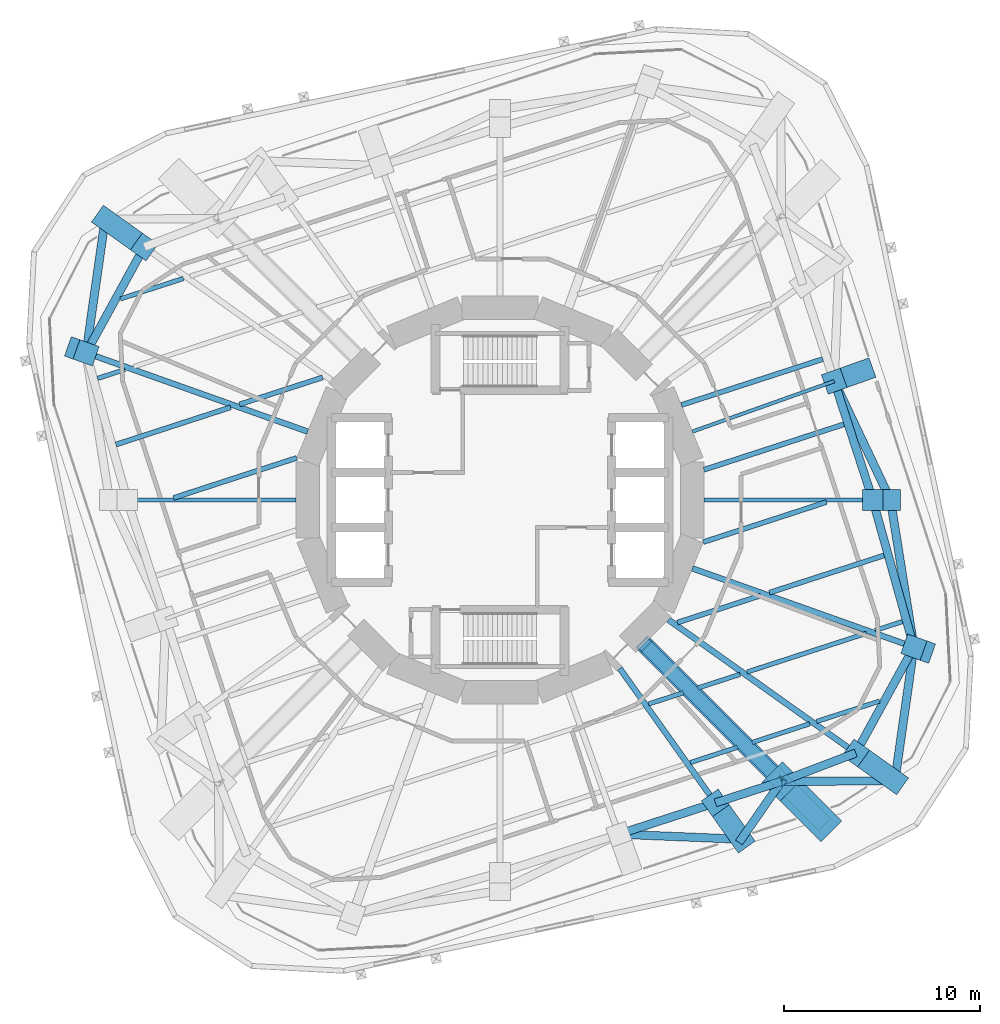
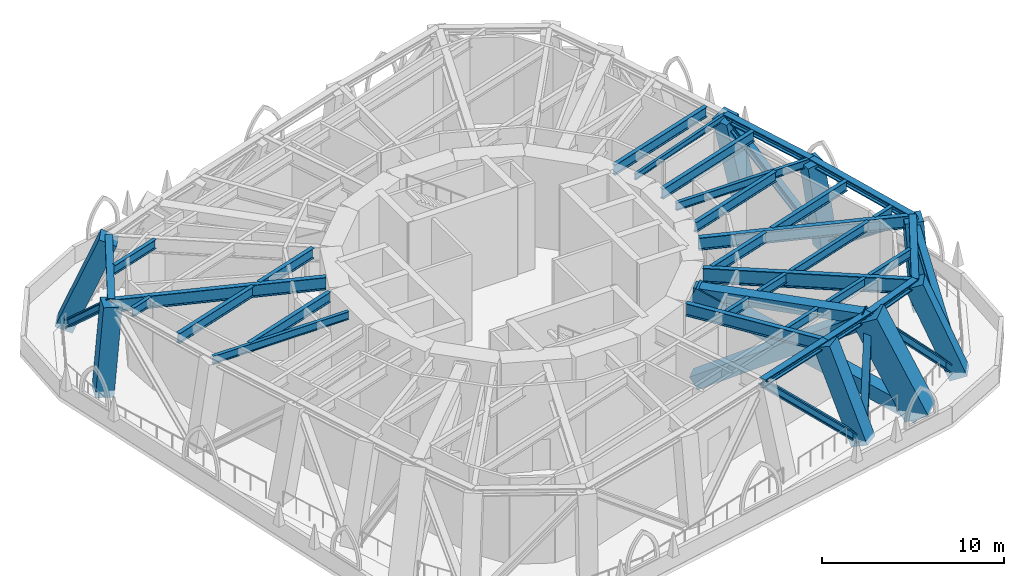
# One storey, part 2 of 11: 25 members, 24 beams.
"""IFC4 building model written with IfcOpenShell, lengths in metres."""

from ifc_helpers import new_model, si_unit, direction, frame, origin, origin_2d, place, context, subcontext, project, spatial, rectangle, hollow_rectangle, i_section, extrude, material, material_profile, profile_set, type_object, element, save


model = new_model("IFC4")

# Units and contexts
model_context = context("Model", 3, precision=1e-05, world=origin(), true_north=direction((0.0, 1.0)))
body_context = subcontext(model_context, "Body", "Model", "MODEL_VIEW")
ifc_project = project(units=[si_unit("LENGTHUNIT", "METRE"), si_unit("AREAUNIT", "SQUARE_METRE"), si_unit("VOLUMEUNIT", "CUBIC_METRE"), si_unit("PLANEANGLEUNIT", "RADIAN"), si_unit("MASSUNIT", "GRAM", prefix="KILO")], contexts=[model_context])

# Site, building, storey
site_placement = place(None, origin())
site = spatial("IfcSite", under=ifc_project, at=site_placement, CompositionType="ELEMENT")
building_placement = place(site_placement, origin())
building = spatial("IfcBuilding", under=site, at=building_placement, Name="Nakasero Lantern House", CompositionType="ELEMENT")
storey_placement = place(building_placement, frame((0.0, 0.0, 135.800048828125)))
storey = spatial("IfcBuildingStorey", under=building, at=storey_placement, Name="L33", CompositionType="ELEMENT", Elevation=135.800048828125)

# Members
ifc_material_1 = material(Name="Steel S355", Category="steel")
ifc_material_profile_1 = material_profile(ifc_material_1, i_section(OverallWidth=0.41845703125, OverallDepth=0.45556640625, WebThickness=0.0419921875, FlangeThickness=0.0673828125, FilletRadius=0.01513671875, at=origin_2d()), Name="UC 356x406x551")
ifc_profile_set_1 = profile_set([ifc_material_profile_1], Name="Steel S355")
member_type_1 = type_object("IfcMemberType", Name="Belt truss chord UC 356x406x551", PredefinedType="CHORD", material=ifc_profile_set_1)
member_1_placement = place(storey_placement, frame((18.1630859375, -12.916015625, 5.572265625), z_axis=(0.481261795861, 0.876576912681, 0.0), x_axis=(-0.876576912681, 0.481261795861, 0.0)))
element("IfcMember", 1, at=member_1_placement, inside=storey, type_object=member_type_1, Name="Belt truss top chord T3 B4-C01T", PredefinedType="CHORD", context=body_context, shape_type="SweptSolid", body=[
    extrude(i_section(OverallWidth=0.41845703125, OverallDepth=0.45556640625, WebThickness=0.0419921875, FlangeThickness=0.0673828125, FilletRadius=0.01513671875, at=origin_2d()), origin(), (0.0, 0.0, 1.0), 6.1640625),
])
member_2_placement = place(storey_placement, frame((21.129638671875, -7.5126953125, 5.572265625), z_axis=(-0.268986696047, 0.963143892339, 0.0), x_axis=(-0.963143892339, -0.268986696047, 0.0)))
element("IfcMember", 2, at=member_2_placement, inside=storey, type_object=member_type_1, Name="Belt truss top chord T3 B4-C02T", PredefinedType="CHORD", context=body_context, shape_type="SweptSolid", body=[
    extrude(i_section(OverallWidth=0.41845703125, OverallDepth=0.45556640625, WebThickness=0.0419921875, FlangeThickness=0.0673828125, FilletRadius=0.01513671875, at=origin_2d()), origin(), (0.0, 0.0, 1.0), 7.80029296875),
])
member_3_placement = place(storey_placement, frame((19.031494140625, 0.0, 5.572265625), z_axis=(-0.309018560274, 0.951056007502, 0.0), x_axis=(-0.951056007502, -0.309018560274, 0.0)))
element("IfcMember", 3, at=member_3_placement, inside=storey, type_object=member_type_1, Name="Belt truss top chord T3 B4-C03T", PredefinedType="CHORD", context=body_context, shape_type="SweptSolid", body=[
    extrude(i_section(OverallWidth=0.41845703125, OverallDepth=0.45556640625, WebThickness=0.0419921875, FlangeThickness=0.0673828125, FilletRadius=0.01513671875, at=origin_2d()), origin(), (0.0, 0.0, 1.0), 6.378173828125),
])
member_4_placement = place(storey_placement, frame((-18.1630859375, 12.916015625, 5.572265625), z_axis=(-0.481261795861, -0.876576912681, 0.0), x_axis=(0.876576912681, -0.481261795861, 0.0)))
element("IfcMember", 4, at=member_4_placement, inside=storey, type_object=member_type_1, Name="Belt truss top chord T3 B4-C13T", PredefinedType="CHORD", context=body_context, shape_type="SweptSolid", body=[
    extrude(i_section(OverallWidth=0.41845703125, OverallDepth=0.45556640625, WebThickness=0.0419921875, FlangeThickness=0.0673828125, FilletRadius=0.01513671875, at=origin_2d()), origin(), (0.0, 0.0, 1.0), 6.1640625),
])
member_5_placement = place(storey_placement, frame((6.06591796875, -17.060546875, 5.572265625), z_axis=(0.95105449754, 0.309023207396, 0.0), x_axis=(-0.309023207396, 0.95105449754, 0.0)))
element("IfcMember", 5, at=member_5_placement, inside=storey, type_object=member_type_1, Name="Belt truss top chord T3 B4-C22T", PredefinedType="CHORD", context=body_context, shape_type="SweptSolid", body=[
    extrude(i_section(OverallWidth=0.41845703125, OverallDepth=0.45556640625, WebThickness=0.0419921875, FlangeThickness=0.0673828125, FilletRadius=0.01513671875, at=origin_2d()), origin(), (0.0, 0.0, 1.0), 5.18115234375),
])
member_6_placement = place(storey_placement, frame((10.993408203125, -15.45947265625, 5.572265625), z_axis=(0.951059881727, 0.309006636447, 0.0), x_axis=(-0.309006636447, 0.951059881727, 0.0)))
element("IfcMember", 6, at=member_6_placement, inside=storey, type_object=member_type_1, Name="Belt truss top chord T3 B4-C23T", PredefinedType="CHORD", context=body_context, shape_type="SweptSolid", body=[
    extrude(i_section(OverallWidth=0.41845703125, OverallDepth=0.45556640625, WebThickness=0.0419921875, FlangeThickness=0.0673828125, FilletRadius=0.01513671875, at=origin_2d()), origin(), (0.0, 0.0, 1.0), 3.544189453125),
])
member_7_placement = place(storey_placement, frame((14.3642578125, -14.3642578125, 5.572265625), z_axis=(0.934400186194, 0.35622505813, 0.0), x_axis=(-0.35622505813, 0.934400186194, 0.0)))
element("IfcMember", 7, at=member_7_placement, inside=storey, type_object=member_type_1, Name="Belt truss top chord T3 B4-C24T", PredefinedType="CHORD", context=body_context, shape_type="SweptSolid", body=[
    extrude(i_section(OverallWidth=0.41845703125, OverallDepth=0.45556640625, WebThickness=0.0419921875, FlangeThickness=0.0673828125, FilletRadius=0.01513671875, at=origin_2d()), origin(), (0.0, 0.0, 1.0), 4.0654296875),
])
ifc_material_2 = material(Name="Steel S355", Category="steel")
ifc_material_profile_2 = material_profile(ifc_material_2, i_section(OverallWidth=0.424072265625, OverallDepth=0.474609375, WebThickness=0.047607421875, FlangeThickness=0.076904296875, FilletRadius=0.01513671875, at=origin_2d()), Name="UC 356x406x634")
ifc_profile_set_2 = profile_set([ifc_material_profile_2], Name="Steel S355")
member_type_2 = type_object("IfcMemberType", Name="Belt truss diagonal UC 356x406x634", PredefinedType="BRACE", material=ifc_profile_set_2)
member_8_placement = place(storey_placement, frame((20.15625, -14.33349609375, -0.427734375), z_axis=(0.106541541684, 0.746565736537, 0.656725590276), x_axis=(-0.989970035238, 0.141277490532, 0.0)))
element("IfcMember", 8, at=member_8_placement, inside=storey, type_object=member_type_2, Name="Belt truss diagonal T3-01", PredefinedType="BRACE", context=body_context, shape_type="SweptSolid", body=[
    extrude(i_section(OverallWidth=0.424072265625, OverallDepth=0.474609375, WebThickness=0.047607421875, FlangeThickness=0.076904296875, FilletRadius=0.01513671875, at=origin_2d()), origin(), (0.0, 0.0, 1.0), 9.13623046875),
])
member_9_placement = place(storey_placement, frame((21.129638671875, -7.5126953125, 5.572265625), z_axis=(-0.123248751124, 0.775426409651, -0.61929284556), x_axis=(-0.987602931798, -0.156972765482, 0.0)))
element("IfcMember", 9, at=member_9_placement, inside=storey, type_object=member_type_2, Name="Belt truss diagonal T3-02", PredefinedType="BRACE", context=body_context, shape_type="SweptSolid", body=[
    extrude(i_section(OverallWidth=0.424072265625, OverallDepth=0.474609375, WebThickness=0.047607421875, FlangeThickness=0.076904296875, FilletRadius=0.01513671875, at=origin_2d()), origin(), (0.0, 0.0, 1.0), 9.6884765625),
])
member_10_placement = place(storey_placement, frame((19.935546875, 0.0, -0.427734375), z_axis=(-0.319324255666, 0.673737300974, 0.666415837911), x_axis=(-0.903641543307, -0.42828957635, 0.0)))
element("IfcMember", 10, at=member_10_placement, inside=storey, type_object=member_type_2, Name="Belt truss diagonal T3-03", PredefinedType="BRACE", context=body_context, shape_type="SweptSolid", body=[
    extrude(i_section(OverallWidth=0.424072265625, OverallDepth=0.474609375, WebThickness=0.047607421875, FlangeThickness=0.076904296875, FilletRadius=0.01513671875, at=origin_2d()), origin(), (0.0, 0.0, 1.0), 9.00341796875),
])
member_11_placement = place(storey_placement, frame((-20.15625, 14.33349609375, -0.427734375), z_axis=(-0.106541541684, -0.746565736537, 0.656725590276), x_axis=(0.989970035238, -0.141277490532, 0.0)))
element("IfcMember", 11, at=member_11_placement, inside=storey, type_object=member_type_2, Name="Belt truss diagonal T3-13", PredefinedType="BRACE", context=body_context, shape_type="SweptSolid", body=[
    extrude(i_section(OverallWidth=0.424072265625, OverallDepth=0.474609375, WebThickness=0.047607421875, FlangeThickness=0.076904296875, FilletRadius=0.01513671875, at=origin_2d()), origin(), (0.0, 0.0, 1.0), 9.13623046875),
])
member_12_placement = place(storey_placement, frame((6.06591796875, -17.060546875, 5.572265625), z_axis=(0.721014651765, -0.02971833324, -0.692282234793), x_axis=(0.041182410733, 0.99915164467, 0.0)))
element("IfcMember", 12, at=member_12_placement, inside=storey, type_object=member_type_2, Name="Belt truss diagonal T3-22", PredefinedType="BRACE", context=body_context, shape_type="SweptSolid", body=[
    extrude(i_section(OverallWidth=0.424072265625, OverallDepth=0.474609375, WebThickness=0.047607421875, FlangeThickness=0.076904296875, FilletRadius=0.01513671875, at=origin_2d()), origin(), (0.0, 0.0, 1.0), 8.6669921875),
])
member_13_placement = place(storey_placement, frame((12.31494140625, -17.318115234375, -0.427734375), z_axis=(0.292983880394, 0.422303069917, 0.857799838522), x_axis=(-0.821627058454, 0.570025417693, 0.0)))
element("IfcMember", 13, at=member_13_placement, inside=storey, type_object=member_type_2, Name="Belt truss diagonal T3-23", PredefinedType="BRACE", context=body_context, shape_type="SweptSolid", body=[
    extrude(i_section(OverallWidth=0.424072265625, OverallDepth=0.474609375, WebThickness=0.047607421875, FlangeThickness=0.076904296875, FilletRadius=0.01513671875, at=origin_2d()), origin(), (0.0, 0.0, 1.0), 6.99462890625),
])
member_14_placement = place(storey_placement, frame((14.3642578125, -14.3642578125, 5.572265625), z_axis=(0.694520822143, 0.003688653835, -0.719463148078), x_axis=(-0.005311002485, 0.999985896527, 0.0)))
element("IfcMember", 14, at=member_14_placement, inside=storey, type_object=member_type_2, Name="Belt truss diagonal T3-24", PredefinedType="BRACE", context=body_context, shape_type="SweptSolid", body=[
    extrude(i_section(OverallWidth=0.424072265625, OverallDepth=0.474609375, WebThickness=0.047607421875, FlangeThickness=0.076904296875, FilletRadius=0.01513671875, at=origin_2d()), origin(), (0.0, 0.0, 1.0), 8.339599609375),
])

# Beams
ifc_material_3 = material(Name="Steel S355", Category="steel")
ifc_material_profile_3 = material_profile(ifc_material_3, i_section(OverallWidth=0.22900390625, OverallDepth=0.6123046875, WebThickness=0.011962890625, FlangeThickness=0.01953125, FilletRadius=0.0126953125, at=origin_2d()), Name="UB 610x229x125")
ifc_profile_set_3 = profile_set([ifc_material_profile_3], Name="Steel S355")
beam_type_1 = type_object("IfcBeamType", Name="Infill beam UB 610x229x125", PredefinedType="JOIST", material=ifc_profile_set_3)
beam_1_placement = place(storey_placement, frame((9.7119140625, -13.405029296875, 5.493896484375), z_axis=(0.951041844198, 0.3090621468, 0.0), x_axis=(-0.3090621468, 0.951041844198, 0.0)))
element("IfcBeam", 15, at=beam_1_placement, inside=storey, type_object=beam_type_1, Name="Infill beam L34 03.5", PredefinedType="JOIST", context=body_context, shape_type="SweptSolid", body=[
    extrude(i_section(OverallWidth=0.22900390625, OverallDepth=0.6123046875, WebThickness=0.011962890625, FlangeThickness=0.01953125, FilletRadius=0.0126953125, at=origin_2d()), origin(), (0.0, 0.0, 1.0), 2.5380859375),
])
beam_2_placement = place(storey_placement, frame((12.872802734375, -12.3779296875, 5.493896484375), z_axis=(0.951053839547, 0.309025232437, 0.0), x_axis=(-0.309025232437, 0.951053839547, 0.0)))
element("IfcBeam", 16, at=beam_2_placement, inside=storey, type_object=beam_type_1, Name="Infill beam L34 03.6", PredefinedType="JOIST", context=body_context, shape_type="SweptSolid", body=[
    extrude(i_section(OverallWidth=0.22900390625, OverallDepth=0.6123046875, WebThickness=0.011962890625, FlangeThickness=0.01953125, FilletRadius=0.0126953125, at=origin_2d()), origin(), (0.0, 0.0, 1.0), 3.085205078125),
])
beam_3_placement = place(storey_placement, frame((16.162353515625, -11.30908203125, 5.493896484375), z_axis=(0.951065343637, 0.30898982529, 0.0), x_axis=(-0.30898982529, 0.951065343637, 0.0)))
element("IfcBeam", 17, at=beam_3_placement, inside=storey, type_object=beam_type_1, Name="Infill beam L34 03.7", PredefinedType="JOIST", context=body_context, shape_type="SweptSolid", body=[
    extrude(i_section(OverallWidth=0.22900390625, OverallDepth=0.6123046875, WebThickness=0.011962890625, FlangeThickness=0.01953125, FilletRadius=0.0126953125, at=origin_2d()), origin(), (0.0, 0.0, 1.0), 3.384033203125),
])
beam_4_placement = place(storey_placement, frame((7.5859375, -10.41552734375, 5.493896484375), z_axis=(0.951066985522, 0.30898477155, 0.0), x_axis=(-0.30898477155, 0.951066985522, 0.0)))
element("IfcBeam", 18, at=beam_4_placement, inside=storey, type_object=beam_type_1, Name="Infill beam L34 04.5", PredefinedType="JOIST", context=body_context, shape_type="SweptSolid", body=[
    extrude(i_section(OverallWidth=0.22900390625, OverallDepth=0.6123046875, WebThickness=0.011962890625, FlangeThickness=0.01953125, FilletRadius=0.0126953125, at=origin_2d()), origin(), (0.0, 0.0, 1.0), 1.852783203125),
])
beam_5_placement = place(storey_placement, frame((10.09521484375, -9.600341796875, 5.493896484375), z_axis=(0.951064087789, 0.308993690742, 0.0), x_axis=(-0.308993690742, 0.951064087789, 0.0)))
element("IfcBeam", 19, at=beam_5_placement, inside=storey, type_object=beam_type_1, Name="Infill beam L34 04.6", PredefinedType="JOIST", context=body_context, shape_type="SweptSolid", body=[
    extrude(i_section(OverallWidth=0.22900390625, OverallDepth=0.6123046875, WebThickness=0.011962890625, FlangeThickness=0.01953125, FilletRadius=0.0126953125, at=origin_2d()), origin(), (0.0, 0.0, 1.0), 2.270751953125),
])
beam_6_placement = place(storey_placement, frame((12.610107421875, -8.783203125, 5.493896484375), z_axis=(0.951050317144, 0.309036072748, 0.0), x_axis=(-0.309036072748, 0.951050317144, 0.0)))
element("IfcBeam", 20, at=beam_6_placement, inside=storey, type_object=beam_type_1, Name="Infill beam L34 04.7", PredefinedType="JOIST", context=body_context, shape_type="SweptSolid", body=[
    extrude(i_section(OverallWidth=0.22900390625, OverallDepth=0.6123046875, WebThickness=0.011962890625, FlangeThickness=0.01953125, FilletRadius=0.0126953125, at=origin_2d()), origin(), (0.0, 0.0, 1.0), 6.40380859375),
])
for number, where, z_axis, x_axis, name in (
    (21, (19.156494140625, -6.656005859375, 5.493896484375), (0.951077013736, 0.308953902618, 0.0), (-0.308953902618, 0.951077013736, 0.0), "Infill beam L34 04.8"),
    (22, (-20.546875, 6.204345703125, 5.493896484375), (0.951077013736, 0.308953902618, 0.0), (-0.308953902618, 0.951077013736, 0.0), "Infill beam L34 11.1"),
):
    element("IfcBeam", number, at=place(storey_placement, frame(where, z_axis=z_axis, x_axis=x_axis)), inside=storey, type_object=beam_type_1, Name=name, PredefinedType="JOIST", context=body_context, shape_type="SweptSolid", body=[
        extrude(i_section(OverallWidth=0.22900390625, OverallDepth=0.6123046875, WebThickness=0.011962890625, FlangeThickness=0.01953125, FilletRadius=0.0126953125, at=origin_2d()), origin(), (0.0, 0.0, 1.0), 1.4619140625),
    ])
beam_7_placement = place(storey_placement, frame((-19.380859375, 10.263427734375, 5.493896484375), z_axis=(0.951065343637, 0.30898982529, 0.0), x_axis=(-0.30898982529, 0.951065343637, 0.0)))
element("IfcBeam", 23, at=beam_7_placement, inside=storey, type_object=beam_type_1, Name="Infill beam L34 12.1", PredefinedType="JOIST", context=body_context, shape_type="SweptSolid", body=[
    extrude(i_section(OverallWidth=0.22900390625, OverallDepth=0.6123046875, WebThickness=0.011962890625, FlangeThickness=0.01953125, FilletRadius=0.0126953125, at=origin_2d()), origin(), (0.0, 0.0, 1.0), 3.384033203125),
])
ifc_material_4 = material(Name="Steel S355", Category="steel")
ifc_material_profile_4 = material_profile(ifc_material_4, i_section(OverallWidth=0.253662109375, OverallDepth=0.68359375, WebThickness=0.012451171875, FlangeThickness=0.01904296875, FilletRadius=0.01513671875, at=origin_2d()), Name="UB 686x254x140")
ifc_profile_set_4 = profile_set([ifc_material_profile_4], Name="Steel S355")
beam_type_2 = type_object("IfcBeamType", Name="Infill beam UB 686x254x140", PredefinedType="JOIST", material=ifc_profile_set_4)
beam_8_placement = place(storey_placement, frame((9.05810546875, -6.257080078125, 5.458251953125), z_axis=(0.951063078572, 0.308996797034, 0.0), x_axis=(-0.308996797034, 0.951063078572, 0.0)))
element("IfcBeam", 24, at=beam_8_placement, inside=storey, type_object=beam_type_2, Name="Infill beam L34 05.3", PredefinedType="JOIST", context=body_context, shape_type="SweptSolid", body=[
    extrude(i_section(OverallWidth=0.253662109375, OverallDepth=0.68359375, WebThickness=0.012451171875, FlangeThickness=0.01904296875, FilletRadius=0.01513671875, at=origin_2d()), origin(), (0.0, 0.0, 1.0), 4.4521484375),
])
beam_9_placement = place(storey_placement, frame((13.74853515625, -4.733154296875, 5.458251953125), z_axis=(0.951054753884, 0.309022418467, 0.0), x_axis=(-0.309022418467, 0.951054753884, 0.0)))
element("IfcBeam", 25, at=beam_9_placement, inside=storey, type_object=beam_type_2, Name="Infill beam L34 05.4", PredefinedType="JOIST", context=body_context, shape_type="SweptSolid", body=[
    extrude(i_section(OverallWidth=0.253662109375, OverallDepth=0.68359375, WebThickness=0.012451171875, FlangeThickness=0.01904296875, FilletRadius=0.01513671875, at=origin_2d()), origin(), (0.0, 0.0, 1.0), 6.157470703125),
])
for number, where, z_axis, x_axis, name in (
    (26, (10.375244140625, -2.149169921875, 5.458251953125), (0.951051425994, 0.309032660271, 0.0), (-0.309032660271, 0.951051425994, 0.0), "Infill beam L34 06.2"),
    (27, (-16.666259765625, 0.10498046875, 5.458251953125), (0.951051425994, 0.309032660271, 0.0), (-0.309032660271, 0.951051425994, 0.0), "Infill beam L34 09.1"),
):
    element("IfcBeam", number, at=place(storey_placement, frame(where, z_axis=z_axis, x_axis=x_axis)), inside=storey, type_object=beam_type_2, Name=name, PredefinedType="JOIST", context=body_context, shape_type="SweptSolid", body=[
        extrude(i_section(OverallWidth=0.253662109375, OverallDepth=0.68359375, WebThickness=0.012451171875, FlangeThickness=0.01904296875, FilletRadius=0.01513671875, at=origin_2d()), origin(), (0.0, 0.0, 1.0), 6.61474609375),
    ])
beam_10_placement = place(storey_placement, frame((-19.604736328125, 2.830322265625, 5.458251953125), z_axis=(0.951054753884, 0.309022418467, 0.0), x_axis=(-0.309022418467, 0.951054753884, 0.0)))
element("IfcBeam", 28, at=beam_10_placement, inside=storey, type_object=beam_type_2, Name="Infill beam L34 10.1", PredefinedType="JOIST", context=body_context, shape_type="SweptSolid", body=[
    extrude(i_section(OverallWidth=0.253662109375, OverallDepth=0.68359375, WebThickness=0.012451171875, FlangeThickness=0.01904296875, FilletRadius=0.01513671875, at=origin_2d()), origin(), (0.0, 0.0, 1.0), 6.157470703125),
])
beam_11_placement = place(storey_placement, frame((-13.29248046875, 4.88134765625, 5.458251953125), z_axis=(0.951063078572, 0.308996797034, 0.0), x_axis=(-0.308996797034, 0.951063078572, 0.0)))
element("IfcBeam", 29, at=beam_11_placement, inside=storey, type_object=beam_type_2, Name="Infill beam L34 10.2", PredefinedType="JOIST", context=body_context, shape_type="SweptSolid", body=[
    extrude(i_section(OverallWidth=0.253662109375, OverallDepth=0.68359375, WebThickness=0.012451171875, FlangeThickness=0.01904296875, FilletRadius=0.01513671875, at=origin_2d()), origin(), (0.0, 0.0, 1.0), 4.4521484375),
])
ifc_material_5 = material(Name="Steel S355", Category="steel")
ifc_material_profile_5 = material_profile(ifc_material_5, i_section(OverallWidth=0.255859375, OverallDepth=0.69287109375, WebThickness=0.014404296875, FlangeThickness=0.023681640625, FilletRadius=0.01513671875, at=origin_2d()), Name="UB 686x254x170")
ifc_profile_set_5 = profile_set([ifc_material_profile_5], Name="Steel S355")
beam_type_3 = type_object("IfcBeamType", Name="Infill beam UB 686x254x170", PredefinedType="JOIST", material=ifc_profile_set_5)
beam_12_placement = place(storey_placement, frame((10.407958984375, 1.541748046875, 5.45361328125), z_axis=(0.951056505472, 0.309017027685, 0.0), x_axis=(-0.309017027685, 0.951056505472, 0.0)))
element("IfcBeam", 30, at=beam_12_placement, inside=storey, type_object=beam_type_3, Name="Infill beam L34 07.2", PredefinedType="JOIST", context=body_context, shape_type="SweptSolid", body=[
    extrude(i_section(OverallWidth=0.255859375, OverallDepth=0.69287109375, WebThickness=0.014404296875, FlangeThickness=0.023681640625, FilletRadius=0.01513671875, at=origin_2d()), origin(), (0.0, 0.0, 1.0), 7.515869140625),
])
beam_13_placement = place(storey_placement, frame((9.25732421875, 4.847900390625, 5.45361328125), z_axis=(0.951056054311, 0.309018416212, 0.0), x_axis=(-0.309018416212, 0.951056054311, 0.0)))
element("IfcBeam", 31, at=beam_13_placement, inside=storey, type_object=beam_type_3, Name="Infill beam L34 08.2", PredefinedType="JOIST", context=body_context, shape_type="SweptSolid", body=[
    extrude(i_section(OverallWidth=0.255859375, OverallDepth=0.69287109375, WebThickness=0.014404296875, FlangeThickness=0.023681640625, FilletRadius=0.01513671875, at=origin_2d()), origin(), (0.0, 0.0, 1.0), 7.58837890625),
])

# Members
ifc_material_6 = material(Name="Steel S355", Category="steel")
ifc_material_profile_6 = material_profile(ifc_material_6, hollow_rectangle(XDim=0.699951171875, YDim=0.699951171875, WallThickness=0.050048828125, at=origin_2d()), Name="BOX 700x700x50")
ifc_profile_set_6 = profile_set([ifc_material_profile_6], Name="Steel S355")
member_type_3 = type_object("IfcMemberType", Name="Outrigger chord BOX 700x700x50", PredefinedType="CHORD", material=ifc_profile_set_6)
member_15_placement = place(storey_placement, frame((14.3642578125, -14.3642578125, 5.449951171875), z_axis=(-0.707106781187, 0.707106781187, 0.0), x_axis=(-0.707106781187, -0.707106781187, 0.0)))
element("IfcMember", 32, at=member_15_placement, inside=storey, type_object=member_type_3, Name="Outrigger chord L34 B4-C24T", PredefinedType="CHORD", context=body_context, shape_type="SweptSolid", body=[
    extrude(hollow_rectangle(XDim=0.699951171875, YDim=0.699951171875, WallThickness=0.050048828125, at=origin_2d()), origin(), (0.0, 0.0, 1.0), 9.906494140625),
])
ifc_material_7 = material(Name="Steel S355", Category="steel")
ifc_material_profile_7 = material_profile(ifc_material_7, hollow_rectangle(XDim=0.89990234375, YDim=0.89990234375, WallThickness=0.10009765625, at=origin_2d()), Name="BOX 900x900x100")
ifc_profile_set_7 = profile_set([ifc_material_profile_7], Name="Steel S355")
member_type_4 = type_object("IfcMemberType", Name="Outrigger diagonal BOX 900x900x100", PredefinedType="BRACE", material=ifc_profile_set_7)
member_16_placement = place(storey_placement, frame((7.394775390625, -7.394775390625, -0.550048828125), z_axis=(0.603996233112, -0.603996233112, 0.519977981047), x_axis=(0.707106781187, 0.707106781187, 0.0)))
element("IfcMember", 33, at=member_16_placement, inside=storey, type_object=member_type_4, Name="Outrigger diagonal L33 24 rising", PredefinedType="BRACE", context=body_context, shape_type="SweptSolid", body=[
    extrude(hollow_rectangle(XDim=0.89990234375, YDim=0.89990234375, WallThickness=0.10009765625, at=origin_2d()), origin(), (0.0, 0.0, 1.0), 11.5390625),
])
member_17_placement = place(storey_placement, frame((7.359375, -7.359375, 5.449951171875), z_axis=(0.640644179164, -0.640644179164, -0.423261233054), x_axis=(0.707106781187, 0.707106781187, 0.0)))
element("IfcMember", 34, at=member_17_placement, inside=storey, type_object=member_type_4, Name="Outrigger diagonal L33 24 falling", PredefinedType="BRACE", context=body_context, shape_type="SweptSolid", body=[
    extrude(hollow_rectangle(XDim=0.89990234375, YDim=0.89990234375, WallThickness=0.10009765625, at=origin_2d()), origin(), (0.0, 0.0, 1.0), 14.175537109375),
])

# Beams
ifc_material_8 = material(Name="Steel S355", Category="steel")
ifc_material_profile_8 = material_profile(ifc_material_8, i_section(OverallWidth=0.300048828125, OverallDepth=1.0, WebThickness=0.01904296875, FlangeThickness=0.035888671875, FilletRadius=0.030029296875, at=origin_2d()), Name="UB 1016x305x314")
ifc_profile_set_8 = profile_set([ifc_material_profile_8], Name="Steel S355")
beam_type_4 = type_object("IfcBeamType", Name="Primary beam UB 1016x305x314, span 9 to 12 m", PredefinedType="BEAM", material=ifc_profile_set_8)
beam_14_placement = place(storey_placement, frame((18.1630859375, -12.916015625, 5.300048828125), z_axis=(-0.814950738075, 0.579530236062, 0.0), x_axis=(-0.579530236062, -0.814950738075, 0.0)))
element("IfcBeam", 35, at=beam_14_placement, inside=storey, type_object=beam_type_4, Name="Primary beam L34 B4-C01T", PredefinedType="BEAM", context=body_context, shape_type="SweptSolid", body=[
    extrude(i_section(OverallWidth=0.300048828125, OverallDepth=1.0, WebThickness=0.01904296875, FlangeThickness=0.035888671875, FilletRadius=0.030029296875, at=origin_2d()), origin(), (0.0, 0.0, 1.0), 11.73193359375),
])
ifc_material_9 = material(Name="Steel S355", Category="steel")
ifc_material_profile_9 = material_profile(ifc_material_9, i_section(OverallWidth=0.177978515625, OverallDepth=0.406494140625, WebThickness=0.0078125, FlangeThickness=0.0126953125, FilletRadius=0.01025390625, at=origin_2d()), Name="UB 406x178x60")
ifc_profile_set_9 = profile_set([ifc_material_profile_9], Name="Steel S355")
beam_type_5 = type_object("IfcBeamType", Name="Primary beam UB 406x178x60, span 6 to 9 m", PredefinedType="BEAM", material=ifc_profile_set_9)
beam_15_placement = place(storey_placement, frame((17.060546875, 6.06591796875, 5.5966796875), z_axis=(-0.942212461965, -0.335015934723, 0.0), x_axis=(0.335015934723, -0.942212461965, 0.0)))
element("IfcBeam", 36, at=beam_15_placement, inside=storey, type_object=beam_type_5, Name="Primary beam L34 B4-C04T", PredefinedType="BEAM", context=body_context, shape_type="SweptSolid", body=[
    extrude(i_section(OverallWidth=0.177978515625, OverallDepth=0.406494140625, WebThickness=0.0078125, FlangeThickness=0.0126953125, FilletRadius=0.01025390625, at=origin_2d()), origin(), (0.0, 0.0, 1.0), 7.685302734375),
])
ifc_material_10 = material(Name="Steel S355", Category="steel")
ifc_material_profile_10 = material_profile(ifc_material_10, i_section(OverallWidth=0.2099609375, OverallDepth=0.53662109375, WebThickness=0.0107421875, FlangeThickness=0.017333984375, FilletRadius=0.0126953125, at=origin_2d()), Name="UB 533x210x101")
ifc_profile_set_10 = profile_set([ifc_material_profile_10], Name="Steel S355")
beam_type_6 = type_object("IfcBeamType", Name="Primary beam UB 533x210x101, span 6 to 9 m", PredefinedType="BEAM", material=ifc_profile_set_10)
for number, where, z_axis, x_axis, name in (
    (37, (19.031494140625, 0.0, 5.531494140625), (-1.0, 0.0, 0.0), (0.0, -1.0, 0.0), "Primary beam L34 B4-C03T"),
    (38, (-19.031494140625, 0.0, 5.531494140625), (1.0, 0.0, 0.0), (0.0, 1.0, 0.0), "Primary beam L34 B4-C15T"),
):
    element("IfcBeam", number, at=place(storey_placement, frame(where, z_axis=z_axis, x_axis=x_axis)), inside=storey, type_object=beam_type_6, Name=name, PredefinedType="BEAM", context=body_context, shape_type="SweptSolid", body=[
        extrude(i_section(OverallWidth=0.2099609375, OverallDepth=0.53662109375, WebThickness=0.0107421875, FlangeThickness=0.017333984375, FilletRadius=0.0126953125, at=origin_2d()), origin(), (0.0, 0.0, 1.0), 8.62353515625),
    ])
ifc_material_11 = material(Name="Steel S355", Category="steel")
ifc_material_profile_11 = material_profile(ifc_material_11, i_section(OverallWidth=0.29248046875, OverallDepth=0.8408203125, WebThickness=0.0146484375, FlangeThickness=0.02685546875, FilletRadius=0.017822265625, at=origin_2d()), Name="UB 838x292x194")
ifc_profile_set_11 = profile_set([ifc_material_profile_11], Name="Steel S355")
beam_type_7 = type_object("IfcBeamType", Name="Primary beam UB 838x292x194, span 12 to 15 m", PredefinedType="BEAM", material=ifc_profile_set_11)
for number, where, z_axis, x_axis, name in (
    (39, (21.129638671875, -7.5126953125, 5.379638671875), (-0.942213548974, 0.335012877559, 0.0), (-0.335012877559, -0.942213548974, 0.0), "Primary beam L34 B4-C02T"),
    (40, (-21.129638671875, 7.5126953125, 5.379638671875), (0.942213548974, -0.335012877559, 0.0), (0.335012877559, 0.942213548974, 0.0), "Primary beam L34 B4-C14T"),
):
    element("IfcBeam", number, at=place(storey_placement, frame(where, z_axis=z_axis, x_axis=x_axis)), inside=storey, type_object=beam_type_7, Name=name, PredefinedType="BEAM", context=body_context, shape_type="SweptSolid", body=[
        extrude(i_section(OverallWidth=0.29248046875, OverallDepth=0.8408203125, WebThickness=0.0146484375, FlangeThickness=0.02685546875, FilletRadius=0.017822265625, at=origin_2d()), origin(), (0.0, 0.0, 1.0), 12.00390625),
    ])
ifc_material_12 = material(Name="Steel S355", Category="steel")
ifc_material_profile_12 = material_profile(ifc_material_12, i_section(OverallWidth=0.29248046875, OverallDepth=0.8408203125, WebThickness=0.0146484375, FlangeThickness=0.02685546875, FilletRadius=0.017822265625, at=origin_2d()), Name="UB 838x292x194")
ifc_profile_set_12 = profile_set([ifc_material_profile_12], Name="Steel S355")
beam_type_8 = type_object("IfcBeamType", Name="Primary beam UB 838x292x194, span 6 to 9 m", PredefinedType="BEAM", material=ifc_profile_set_12)
beam_16_placement = place(storey_placement, frame((10.993408203125, -15.45947265625, 5.379638671875), z_axis=(-0.579529781409, 0.81495106139, 0.0), x_axis=(-0.81495106139, -0.579529781409, 0.0)))
element("IfcBeam", 41, at=beam_16_placement, inside=storey, type_object=beam_type_8, Name="Primary beam L34 B4-C23T", PredefinedType="BEAM", context=body_context, shape_type="SweptSolid", body=[
    extrude(i_section(OverallWidth=0.29248046875, OverallDepth=0.8408203125, WebThickness=0.0146484375, FlangeThickness=0.02685546875, FilletRadius=0.017822265625, at=origin_2d()), origin(), (0.0, 0.0, 1.0), 8.41455078125),
])

# Members
ifc_material_13 = material(Name="Concrete C50/60", Category="concrete")
ifc_material_profile_13 = material_profile(ifc_material_13, rectangle(XDim=1.050048828125, YDim=1.050048828125, at=origin_2d()), Name="RC 1050x1050")
ifc_profile_set_13 = profile_set([ifc_material_profile_13], Name="Concrete C50/60")
member_type_5 = type_object("IfcMemberType", Name="Raking column RC 1050x1050 C50/60", PredefinedType="STRUT", material=ifc_profile_set_13)
member_18_placement = place(storey_placement, frame((20.15625, -14.33349609375, -0.427734375), z_axis=(-0.307617986081, 0.218768989121, 0.92601906246), x_axis=(-0.57955619719, -0.814932275897, 0.0)))
element("IfcMember", 42, at=member_18_placement, inside=storey, type_object=member_type_5, Name="Raking column B4-C01T L33", PredefinedType="STRUT", context=body_context, shape_type="SweptSolid", body=[
    extrude(rectangle(XDim=1.050048828125, YDim=1.050048828125, at=origin_2d()), origin(), (0.0, 0.0, 1.0), 6.479248046875),
])
member_19_placement = place(storey_placement, frame((21.5654296875, -7.667724609375, -0.427734375), z_axis=(-0.072416967793, 0.025761778459, 0.997041680947), x_axis=(-0.335165857119, -0.942159141664, 0.0)))
element("IfcMember", 43, at=member_19_placement, inside=storey, type_object=member_type_5, Name="Raking column B4-C02T L33", PredefinedType="STRUT", context=body_context, shape_type="SweptSolid", body=[
    extrude(rectangle(XDim=1.050048828125, YDim=1.050048828125, at=origin_2d()), origin(), (0.0, 0.0, 1.0), 6.017822265625),
])
member_20_placement = place(storey_placement, frame((19.935546875, 0.0, -0.427734375), z_axis=(-0.14899363954, 0.0, 0.988838154288), x_axis=(0.0, -1.0, 0.0)))
element("IfcMember", 44, at=member_20_placement, inside=storey, type_object=member_type_5, Name="Raking column B4-C03T L33", PredefinedType="STRUT", context=body_context, shape_type="SweptSolid", body=[
    extrude(rectangle(XDim=1.050048828125, YDim=1.050048828125, at=origin_2d()), origin(), (0.0, 0.0, 1.0), 6.067626953125),
])
member_21_placement = place(storey_placement, frame((18.534912109375, 6.590087890625, -0.427734375), z_axis=(-0.237774535403, -0.084534182399, 0.967634870352), x_axis=(0.334981965, -0.942224539653, 0.0)))
element("IfcMember", 45, at=member_21_placement, inside=storey, type_object=member_type_5, Name="Raking column B4-C04T L33", PredefinedType="STRUT", context=body_context, shape_type="SweptSolid", body=[
    extrude(rectangle(XDim=1.050048828125, YDim=1.050048828125, at=origin_2d()), origin(), (0.0, 0.0, 1.0), 6.20068359375),
])
member_22_placement = place(storey_placement, frame((-20.15625, 14.33349609375, -0.427734375), z_axis=(0.307617986081, -0.218768989121, 0.92601906246), x_axis=(0.57955619719, 0.814932275897, 0.0)))
element("IfcMember", 46, at=member_22_placement, inside=storey, type_object=member_type_5, Name="Raking column B4-C13T L33", PredefinedType="STRUT", context=body_context, shape_type="SweptSolid", body=[
    extrude(rectangle(XDim=1.050048828125, YDim=1.050048828125, at=origin_2d()), origin(), (0.0, 0.0, 1.0), 6.479248046875),
])
member_23_placement = place(storey_placement, frame((-21.5654296875, 7.667724609375, -0.427734375), z_axis=(0.072416967793, -0.025761778459, 0.997041680947), x_axis=(0.335165857119, 0.942159141664, 0.0)))
element("IfcMember", 47, at=member_23_placement, inside=storey, type_object=member_type_5, Name="Raking column B4-C14T L33", PredefinedType="STRUT", context=body_context, shape_type="SweptSolid", body=[
    extrude(rectangle(XDim=1.050048828125, YDim=1.050048828125, at=origin_2d()), origin(), (0.0, 0.0, 1.0), 6.017822265625),
])
member_24_placement = place(storey_placement, frame((12.31494140625, -17.318115234375, -0.427734375), z_axis=(-0.20588475447, 0.289562282612, 0.934754059828), x_axis=(-0.814990152881, -0.57947480593, 0.0)))
element("IfcMember", 48, at=member_24_placement, inside=storey, type_object=member_type_5, Name="Raking column B4-C23T L33", PredefinedType="STRUT", context=body_context, shape_type="SweptSolid", body=[
    extrude(rectangle(XDim=1.050048828125, YDim=1.050048828125, at=origin_2d()), origin(), (0.0, 0.0, 1.0), 6.418701171875),
])
ifc_material_14 = material(Name="Concrete C50/60", Category="concrete")
ifc_material_profile_14 = material_profile(ifc_material_14, rectangle(XDim=1.5, YDim=1.5, at=origin_2d()), Name="RC 1500x1500")
ifc_profile_set_14 = profile_set([ifc_material_profile_14], Name="Concrete C50/60")
member_type_6 = type_object("IfcMemberType", Name="Raking column RC 1500x1500 C50/60", PredefinedType="STRUT", material=ifc_profile_set_14)
member_25_placement = place(storey_placement, frame((16.44091796875, -16.44091796875, -0.427734375), z_axis=(-0.310868091155, 0.310868091155, 0.898177075973), x_axis=(-0.707106781187, -0.707106781187, 0.0)))
element("IfcMember", 49, at=member_25_placement, inside=storey, type_object=member_type_6, Name="Raking column B4-C24T L33", PredefinedType="STRUT", context=body_context, shape_type="SweptSolid", body=[
    extrude(rectangle(XDim=1.5, YDim=1.5, at=origin_2d()), origin(), (0.0, 0.0, 1.0), 6.68017578125),
])

save(model, "model.ifc")
